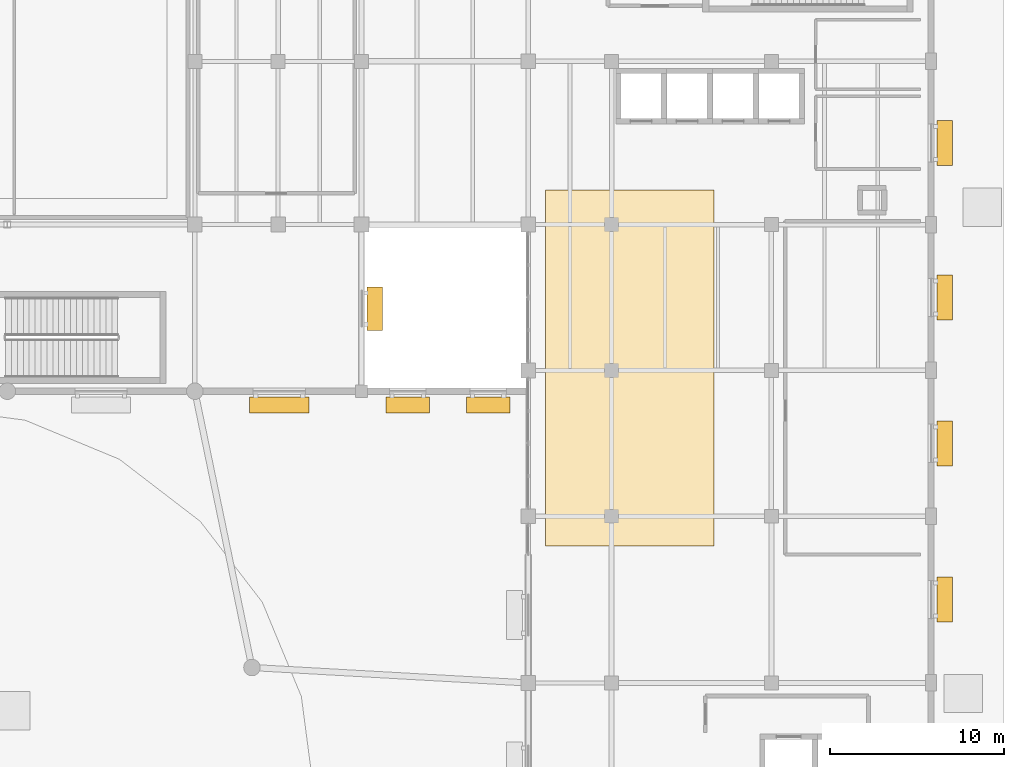
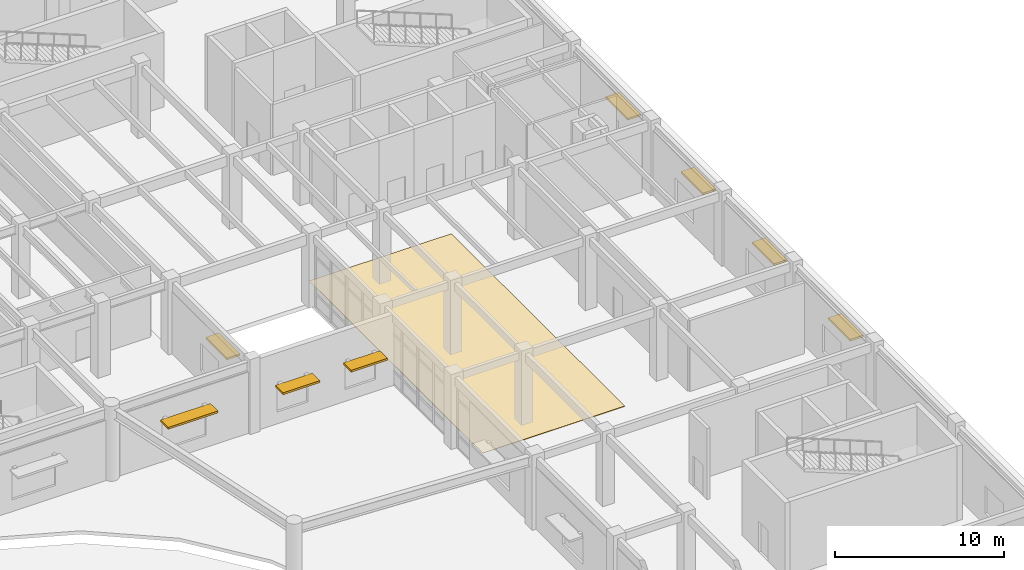
# One storey, part 53 of 54: 8 shading devices, 1 covering.
"""IFC4 building model written with IfcOpenShell, lengths in metres."""

from ifc_helpers import new_model, si_unit, direction, frame, origin, origin_2d, place, context, subcontext, project, spatial, polyline, rectangle, outline, extrude, material, layer, layer_set, type_object, element, save


model = new_model("IFC4")

# Units and contexts
model_context = context("Model", 3, precision=1e-05, world=origin(), true_north=direction((0.0, 1.0)))
body_context = subcontext(model_context, "Body", "Model", "MODEL_VIEW")
ifc_project = project(units=[si_unit("LENGTHUNIT", "METRE"), si_unit("AREAUNIT", "SQUARE_METRE"), si_unit("VOLUMEUNIT", "CUBIC_METRE"), si_unit("PLANEANGLEUNIT", "RADIAN"), si_unit("MASSUNIT", "GRAM", prefix="KILO")], contexts=[model_context])

# Site, building, storey
site_placement = place(None, origin())
site = spatial("IfcSite", under=ifc_project, at=site_placement, CompositionType="ELEMENT")
building_placement = place(site_placement, origin())
building = spatial("IfcBuilding", under=site, at=building_placement, Name="Veldera Park Congress Hotel", CompositionType="ELEMENT")
storey_placement = place(building_placement, origin())
storey = spatial("IfcBuildingStorey", under=building, at=storey_placement, Name="L00", CompositionType="ELEMENT", Elevation=0.0)

# Covering
ifc_material_1 = material(Name="Polished Sonoran Aggregate Terrazzo", Category="concrete")
ifc_layer = layer(ifc_material_1, 0.030029296875)
ifc_layer_set = layer_set([ifc_layer], Name="Polished Sonoran Aggregate Terrazzo")
covering_type = type_object("IfcCoveringType", Name="COV-FLR-TRZ", PredefinedType="FLOORING", material=ifc_layer_set)
covering_placement = place(storey_placement, origin())
element("IfcCovering", 1, at=covering_placement, inside=storey, type_object=covering_type, Name="Hotel Grand Lobby Terrazzo Flooring", PredefinedType="FLOORING", context=body_context, shape_type="SweptSolid", body=[
    extrude(outline(polyline([(61.800048828125, 8.5), (71.5, 8.5), (71.5, 29.0), (61.800048828125, 29.0), (61.800048828125, 8.5)])), origin(), (0.0, 0.0, 1.0), 0.030029296875),
])

# Shading devices
ifc_material_2 = material(Name="Glulam GL28h (NDS 24F-V4)", Category="wood")
shading_device_type = type_object("IfcShadingDeviceType", Name="SHD-SHF450", PredefinedType="AWNING", material=ifc_material_2)
shading_device_1_placement = place(storey_placement, frame((51.969970703125, 22.16259765625, 2.81005859375), z_axis=(0.0, 0.0, 1.0), x_axis=(0.0, 1.0, 0.0)))
element("IfcShadingDevice", 2, at=shading_device_1_placement, inside=storey, type_object=shading_device_type, Name="Glulam Solar Shade 15", PredefinedType="AWNING", context=body_context, shape_type="SweptSolid", body=[
    extrude(rectangle(XDim=2.5, YDim=0.89990234375, at=origin_2d()), origin(), (0.0, 0.0, 1.0), 0.139892578125),
])
shading_device_2_placement = place(storey_placement, frame((46.46240234375, 16.610107421875, 3.06005859375), z_axis=(0.0, 0.0, 1.0), x_axis=(1.0, 0.0, 0.0)))
element("IfcShadingDevice", 3, at=shading_device_2_placement, inside=storey, type_object=shading_device_type, Name="Glulam Solar Shade 21", PredefinedType="AWNING", context=body_context, shape_type="SweptSolid", body=[
    extrude(rectangle(XDim=3.39990234375, YDim=0.89990234375, at=origin_2d()), origin(), (0.0, 0.0, 1.0), 0.139892578125),
])
for number, where, z_axis, x_axis, name in (
    (4, (84.7900390625, 5.39990234375, 2.85986328125), (0.0, 0.0, 1.0), (0.0, 1.0, 0.0), "Glulam Solar Shade 87"),
    (5, (84.7900390625, 14.39990234375, 2.85986328125), (0.0, 0.0, 1.0), (0.0, 1.0, 0.0), "Glulam Solar Shade 88"),
    (6, (84.7900390625, 22.800048828125, 2.85986328125), (0.0, 0.0, 1.0), (0.0, 1.0, 0.0), "Glulam Solar Shade 89"),
    (7, (84.7900390625, 31.699951171875, 2.85986328125), (0.0, 0.0, 1.0), (0.0, 1.0, 0.0), "Glulam Solar Shade 90"),
):
    element("IfcShadingDevice", number, at=place(storey_placement, frame(where, z_axis=z_axis, x_axis=x_axis)), inside=storey, type_object=shading_device_type, Name=name, PredefinedType="AWNING", context=body_context, shape_type="SweptSolid", body=[
        extrude(rectangle(XDim=2.60009765625, YDim=0.89990234375, at=origin_2d()), origin(), (0.0, 0.0, 1.0), 0.139892578125),
    ])
for number, where, z_axis, x_axis, name in (
    (8, (53.861083984375, 16.610107421875, 2.81005859375), (0.0, 0.0, 1.0), (1.0, 0.0, 0.0), "Glulam Solar Shade 92"),
    (9, (58.487060546875, 16.610107421875, 2.81005859375), (0.0, 0.0, 1.0), (1.0, 0.0, 0.0), "Glulam Solar Shade 93"),
):
    element("IfcShadingDevice", number, at=place(storey_placement, frame(where, z_axis=z_axis, x_axis=x_axis)), inside=storey, type_object=shading_device_type, Name=name, PredefinedType="AWNING", context=body_context, shape_type="SweptSolid", body=[
        extrude(rectangle(XDim=2.5, YDim=0.89990234375, at=origin_2d()), origin(), (0.0, 0.0, 1.0), 0.139892578125),
    ])

save(model, "model.ifc")
